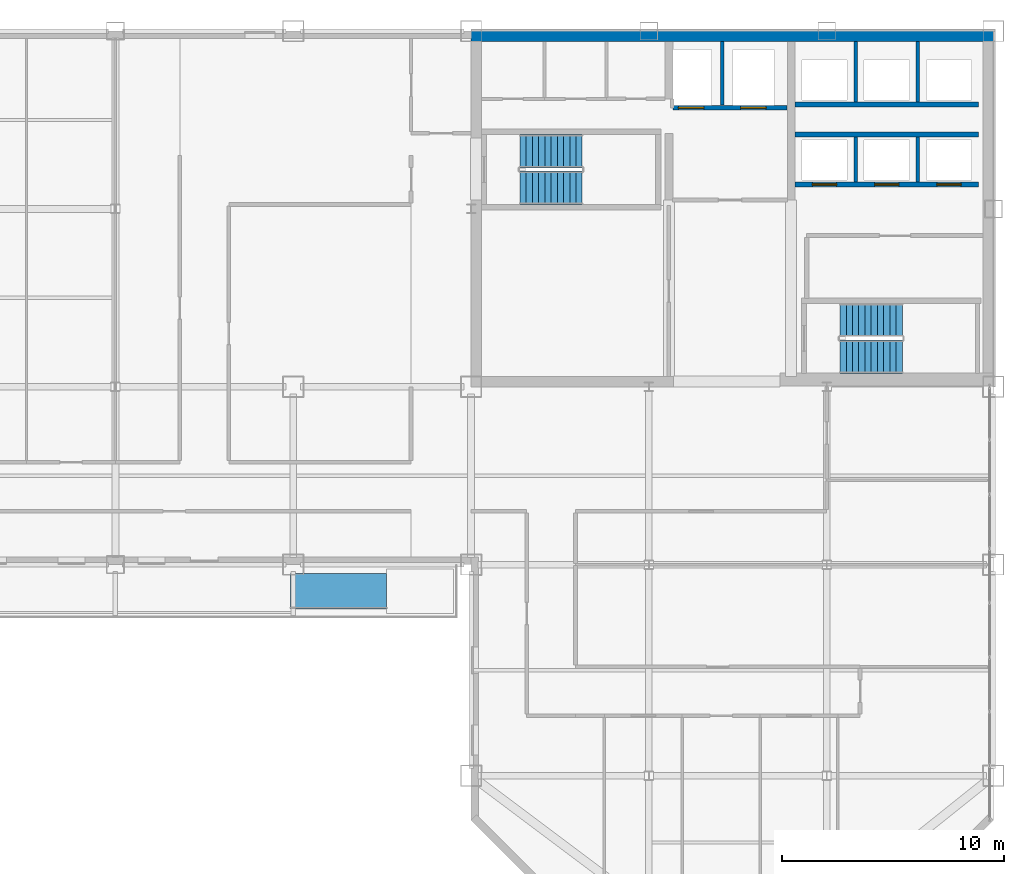
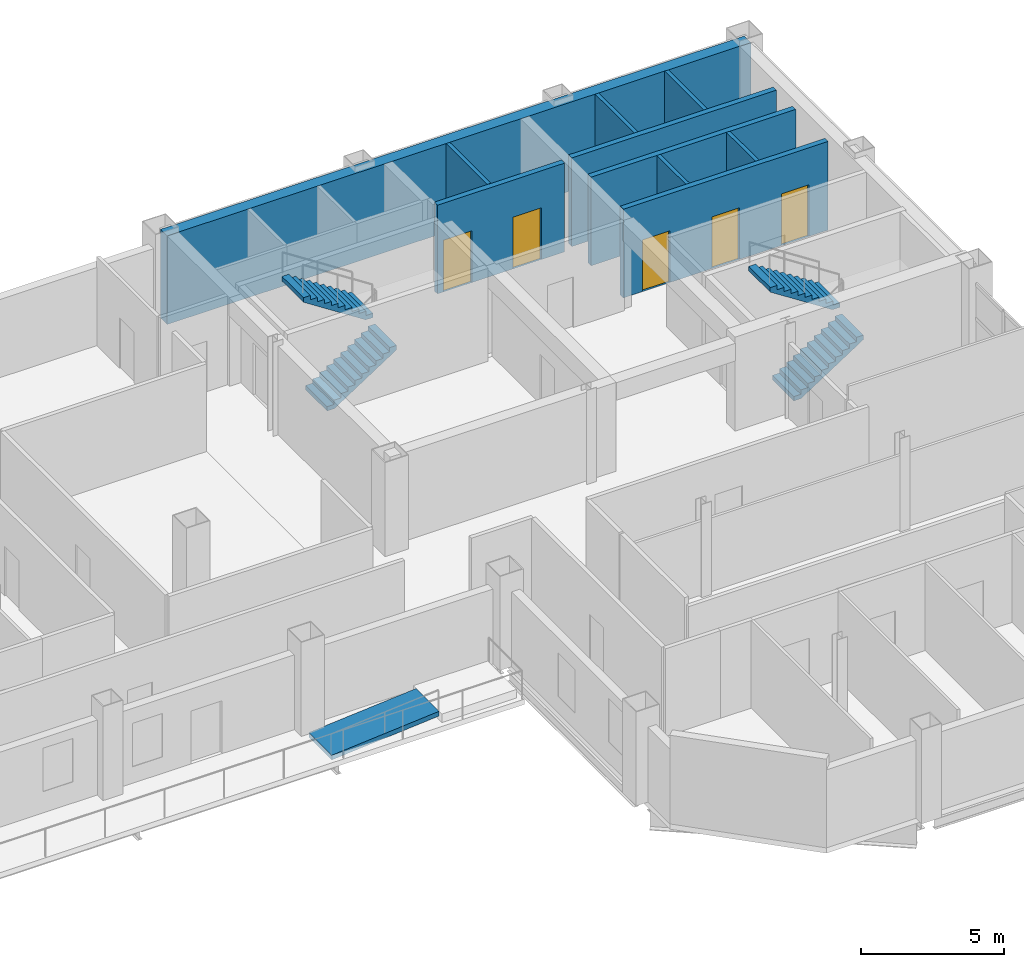
# One storey, part 10 of 12: 10 walls, 5 doors, 4 stair flights, 1 ramp flight, 5 openings, 3 elements without a shape of their own.
"""IFC4 building model written with IfcOpenShell, lengths in metres."""

from ifc_helpers import new_model, si_unit, direction, frame, frame_2d, origin, place, context, subcontext, project, spatial, polyline, rectangle, outline, extrude, material, layer, layer_set, type_object, element, fill, aggregate, save


model = new_model("IFC4")

# Units and contexts
model_context = context("Model", 3, precision=1e-05, world=origin(), true_north=direction((0.0, 1.0)))
body_context = subcontext(model_context, "Body", "Model", "MODEL_VIEW")
ifc_project = project(units=[si_unit("LENGTHUNIT", "METRE"), si_unit("AREAUNIT", "SQUARE_METRE"), si_unit("VOLUMEUNIT", "CUBIC_METRE"), si_unit("PLANEANGLEUNIT", "RADIAN"), si_unit("MASSUNIT", "GRAM", prefix="KILO")], contexts=[model_context])

# Site, building, storey
site_placement = place(None, origin())
site = spatial("IfcSite", under=ifc_project, at=site_placement, CompositionType="ELEMENT")
building_placement = place(site_placement, origin())
building = spatial("IfcBuilding", under=site, at=building_placement, Name="Qianrong Seaharbour Tower", CompositionType="ELEMENT")
storey_placement = place(building_placement, frame((0.0, 0.0, 205.800048828125)))
storey = spatial("IfcBuildingStorey", under=building, at=storey_placement, Name="L49", CompositionType="ELEMENT", Elevation=205.800048828125)

# Walls
ifc_material_1 = material(Name="Concrete C60/75", Category="concrete")
ifc_layer_1 = layer(ifc_material_1, 0.4599609375)
ifc_layer_set_1 = layer_set([ifc_layer_1], Name="Concrete C60/75")
wall_type_1 = type_object("IfcWallType", Name="WALL-CORE-460", PredefinedType="SHEAR", material=ifc_layer_set_1)
wall_1_placement = place(storey_placement, frame((40.5, 51.77001953125, 0.0), z_axis=(0.0, 0.0, 1.0), x_axis=(1.0, 0.0, 0.0)))
element("IfcWall", 1, at=wall_1_placement, inside=storey, type_object=wall_type_1, Name="L49 North Core Shear Wall", PredefinedType="SHEAR", context=body_context, shape_type="SweptSolid", body=[
    extrude(rectangle(XDim=23.5, YDim=0.4599609375, at=frame_2d((11.75, 0.0))), origin(), (0.0, 0.0, 1.0), 3.77490234375),
])
ifc_material_2 = material(Name="Fire-rated gypsum board on steel studs", Category="steel")
ifc_layer_2 = layer(ifc_material_2, 0.14990234375)
ifc_layer_set_2 = layer_set([ifc_layer_2], Name="Fire-rated gypsum board on steel studs")
wall_type_2 = type_object("IfcWallType", Name="WALL-SHAFT-DIV-150", PredefinedType="PARTITIONING", material=ifc_layer_set_2)
wall_2_placement = place(storey_placement, frame((51.800048828125, 48.669921875, 0.0), z_axis=(0.0, 0.0, 1.0), x_axis=(0.0, 1.0, 0.0)))
element("IfcWall", 2, at=wall_2_placement, inside=storey, type_object=wall_type_2, Name="L49 Firefighting Lift Shaft Divider Wall", PredefinedType="PARTITIONING", context=body_context, shape_type="SweptSolid", body=[
    extrude(rectangle(XDim=2.8701171875, YDim=0.14990234375, at=frame_2d((1.43505859375, 0.0))), origin(), (0.0, 0.0, 1.0), 3.77490234375),
])
for number, where, z_axis, x_axis, name in (
    (3, (57.800048828125, 45.2099609375, 0.0), (0.0, 0.0, 1.0), (0.0, 1.0, 0.0), "L49 P3 Lift Hoistway Divider 2"),
    (4, (60.60009765625, 45.2099609375, 0.0), (0.0, 0.0, 1.0), (0.0, 1.0, 0.0), "L49 P3 Lift Hoistway Divider 3"),
):
    element("IfcWall", number, at=place(storey_placement, frame(where, z_axis=z_axis, x_axis=x_axis)), inside=storey, type_object=wall_type_2, Name=name, PredefinedType="PARTITIONING", context=body_context, shape_type="SweptSolid", body=[
        extrude(rectangle(XDim=2.030029296875, YDim=0.14990234375, at=frame_2d((1.01513671875, 0.0))), origin(), (0.0, 0.0, 1.0), 3.77490234375),
    ])
for number, where, z_axis, x_axis, name in (
    (5, (57.800048828125, 48.81005859375, 0.0), (0.0, 0.0, 1.0), (0.0, 1.0, 0.0), "L49 P4 Lift Hoistway Divider 2"),
    (6, (60.60009765625, 48.81005859375, 0.0), (0.0, 0.0, 1.0), (0.0, 1.0, 0.0), "L49 P4 Lift Hoistway Divider 3"),
):
    element("IfcWall", number, at=place(storey_placement, frame(where, z_axis=z_axis, x_axis=x_axis)), inside=storey, type_object=wall_type_2, Name=name, PredefinedType="PARTITIONING", context=body_context, shape_type="SweptSolid", body=[
        extrude(rectangle(XDim=2.72998046875, YDim=0.14990234375, at=frame_2d((1.364990234375, 0.0))), origin(), (0.0, 0.0, 1.0), 3.77490234375),
    ])

# Wall, openings, doors
ifc_layer_3 = layer(ifc_material_2, 0.219970703125)
ifc_layer_set_3 = layer_set([ifc_layer_3], Name="Fire-rated gypsum board on steel studs")
wall_type_3 = type_object("IfcWallType", Name="WALL-SHAFT-GYP220", PredefinedType="PARTITIONING", material=ifc_layer_set_3)
wall_3_placement = place(storey_placement, frame((54.7099609375, 48.550048828125, 0.0), z_axis=(0.0, 0.0, 1.0), x_axis=(-1.0, 0.0, 0.0)))
wall_3 = element("IfcWall", 7, at=wall_3_placement, inside=storey, type_object=wall_type_3, Name="L49 Firefighting Lift Shaft Front Wall", PredefinedType="PARTITIONING", context=body_context, shape_type="SweptSolid", body=[
    extrude(rectangle(XDim=5.119873046875, YDim=0.219970703125, at=frame_2d((2.56005859375, 0.0))), origin(), (0.0, 0.0, 1.0), 3.77490234375),
])
opening_1_placement = place(wall_3_placement, frame((3.735107421875, 0.0, 0.0)))
opening_1 = element("IfcOpeningElement", 8, at=opening_1_placement, cuts=wall_3, Name="Opening LD-01", PredefinedType="OPENING", context=body_context, shape_type="SweptSolid", body=[
    extrude(rectangle(XDim=1.14990234375, YDim=2.199951171875, at=frame_2d((0.574951171875, 1.10009765625))), frame((0.0, 0.1201171875, 0.0), z_axis=(0.0, -1.0, 0.0), x_axis=(1.0, 0.0, 0.0)), (0.0, 0.0, 1.0), 0.239990234375),
])
opening_2_placement = place(wall_3_placement, frame((0.93505859375, 0.0, 0.0)))
opening_2 = element("IfcOpeningElement", 9, at=opening_2_placement, cuts=wall_3, Name="Opening LD-01", PredefinedType="OPENING", context=body_context, shape_type="SweptSolid", body=[
    extrude(rectangle(XDim=1.14990234375, YDim=2.199951171875, at=frame_2d((0.574951171875, 1.10009765625))), frame((0.0, 0.1201171875, 0.0), z_axis=(0.0, -1.0, 0.0), x_axis=(1.0, 0.0, 0.0)), (0.0, 0.0, 1.0), 0.239990234375),
])
ifc_material_3 = material(Name="Stainless steel SUS316L bi-parting lift landing door", Category="steel")
door_type_1 = type_object("IfcDoorType", Name="DOOR-LIFT-FF-1150x2200", OperationType="DOUBLE_DOOR_SLIDING", PredefinedType="DOOR", material=ifc_material_3)
door_1_placement = place(opening_1_placement, origin())
door_1 = element("IfcDoor", 10, at=door_1_placement, inside=storey, type_object=door_type_1, Name="L49 FL-1 Firefighting Lift Landing Door", OperationType="DOUBLE_DOOR_SLIDING", OverallHeight=2.199951171875, OverallWidth=1.14990234375, PredefinedType="DOOR", context=body_context, shape_type="SweptSolid", body=[
    extrude(rectangle(XDim=1.14990234375, YDim=2.199951171875, at=frame_2d((0.574951171875, 1.10009765625))), frame((0.0, 0.02490234375, 0.0), z_axis=(0.0, -1.0, 0.0), x_axis=(1.0, 0.0, 0.0)), (0.0, 0.0, 1.0), 0.050048828125),
])
fill(opening_1, door_1)
door_2_placement = place(opening_2_placement, origin())
door_2 = element("IfcDoor", 11, at=door_2_placement, inside=storey, type_object=door_type_1, Name="L49 FL-2 Firefighting Lift Landing Door", OperationType="DOUBLE_DOOR_SLIDING", OverallHeight=2.199951171875, OverallWidth=1.14990234375, PredefinedType="DOOR", context=body_context, shape_type="SweptSolid", body=[
    extrude(rectangle(XDim=1.14990234375, YDim=2.199951171875, at=frame_2d((0.574951171875, 1.10009765625))), frame((0.0, 0.02490234375, 0.0), z_axis=(0.0, -1.0, 0.0), x_axis=(1.0, 0.0, 0.0)), (0.0, 0.0, 1.0), 0.050048828125),
])
fill(opening_2, door_2)

wall_4_placement = place(storey_placement, frame((63.320068359375, 45.10009765625, 0.0), z_axis=(0.0, 0.0, 1.0), x_axis=(-1.0, 0.0, 0.0)))
wall_4 = element("IfcWall", 12, at=wall_4_placement, inside=storey, type_object=wall_type_3, Name="L49 P3 Lift Hoistway Front Wall", PredefinedType="PARTITIONING", context=body_context, shape_type="SweptSolid", body=[
    extrude(rectangle(XDim=8.239990234375, YDim=0.219970703125, at=frame_2d((4.1201171875, 0.0))), origin(), (0.0, 0.0, 1.0), 3.77490234375),
])
opening_3_placement = place(wall_4_placement, frame((6.3701171875, 0.0, 0.0)))
opening_3 = element("IfcOpeningElement", 13, at=opening_3_placement, cuts=wall_4, Name="Opening LD-02", PredefinedType="OPENING", context=body_context, shape_type="SweptSolid", body=[
    extrude(rectangle(XDim=1.10009765625, YDim=2.199951171875, at=frame_2d((0.550048828125, 1.10009765625))), frame((0.0, 0.1201171875, 0.0), z_axis=(0.0, -1.0, 0.0), x_axis=(1.0, 0.0, 0.0)), (0.0, 0.0, 1.0), 0.239990234375),
])
opening_4_placement = place(wall_4_placement, frame((3.570068359375, 0.0, 0.0)))
opening_4 = element("IfcOpeningElement", 14, at=opening_4_placement, cuts=wall_4, Name="Opening LD-02", PredefinedType="OPENING", context=body_context, shape_type="SweptSolid", body=[
    extrude(rectangle(XDim=1.10009765625, YDim=2.199951171875, at=frame_2d((0.550048828125, 1.10009765625))), frame((0.0, 0.1201171875, 0.0), z_axis=(0.0, -1.0, 0.0), x_axis=(1.0, 0.0, 0.0)), (0.0, 0.0, 1.0), 0.239990234375),
])
opening_5_placement = place(wall_4_placement, frame((0.77001953125, 0.0, 0.0)))
opening_5 = element("IfcOpeningElement", 15, at=opening_5_placement, cuts=wall_4, Name="Opening LD-02", PredefinedType="OPENING", context=body_context, shape_type="SweptSolid", body=[
    extrude(rectangle(XDim=1.10009765625, YDim=2.199951171875, at=frame_2d((0.550048828125, 1.10009765625))), frame((0.0, 0.1201171875, 0.0), z_axis=(0.0, -1.0, 0.0), x_axis=(1.0, 0.0, 0.0)), (0.0, 0.0, 1.0), 0.239990234375),
])
door_type_2 = type_object("IfcDoorType", Name="DOOR-LIFT-PASS-1100x2200", OperationType="DOUBLE_DOOR_SLIDING", PredefinedType="DOOR", material=ifc_material_3)
door_3_placement = place(opening_3_placement, origin())
door_3 = element("IfcDoor", 16, at=door_3_placement, inside=storey, type_object=door_type_2, Name="L49 PL-3A Lift Landing Door", OperationType="DOUBLE_DOOR_SLIDING", OverallHeight=2.199951171875, OverallWidth=1.10009765625, PredefinedType="DOOR", context=body_context, shape_type="SweptSolid", body=[
    extrude(rectangle(XDim=1.10009765625, YDim=2.199951171875, at=frame_2d((0.550048828125, 1.10009765625))), frame((0.0, 0.02490234375, 0.0), z_axis=(0.0, -1.0, 0.0), x_axis=(1.0, 0.0, 0.0)), (0.0, 0.0, 1.0), 0.050048828125),
])
fill(opening_3, door_3)
door_4_placement = place(opening_4_placement, origin())
door_4 = element("IfcDoor", 17, at=door_4_placement, inside=storey, type_object=door_type_2, Name="L49 PL-3B Lift Landing Door", OperationType="DOUBLE_DOOR_SLIDING", OverallHeight=2.199951171875, OverallWidth=1.10009765625, PredefinedType="DOOR", context=body_context, shape_type="SweptSolid", body=[
    extrude(rectangle(XDim=1.10009765625, YDim=2.199951171875, at=frame_2d((0.550048828125, 1.10009765625))), frame((0.0, 0.02490234375, 0.0), z_axis=(0.0, -1.0, 0.0), x_axis=(1.0, 0.0, 0.0)), (0.0, 0.0, 1.0), 0.050048828125),
])
fill(opening_4, door_4)
door_5_placement = place(opening_5_placement, origin())
door_5 = element("IfcDoor", 18, at=door_5_placement, inside=storey, type_object=door_type_2, Name="L49 PL-3C Lift Landing Door", OperationType="DOUBLE_DOOR_SLIDING", OverallHeight=2.199951171875, OverallWidth=1.10009765625, PredefinedType="DOOR", context=body_context, shape_type="SweptSolid", body=[
    extrude(rectangle(XDim=1.10009765625, YDim=2.199951171875, at=frame_2d((0.550048828125, 1.10009765625))), frame((0.0, 0.02490234375, 0.0), z_axis=(0.0, -1.0, 0.0), x_axis=(1.0, 0.0, 0.0)), (0.0, 0.0, 1.0), 0.050048828125),
])
fill(opening_5, door_5)

# Walls
for number, where, z_axis, x_axis, name in (
    (19, (55.080078125, 47.35009765625, 0.0), (0.0, 0.0, 1.0), (1.0, 0.0, 0.0), "L49 P3 Lift Hoistway Back Wall"),
    (20, (63.320068359375, 48.699951171875, 0.0), (0.0, 0.0, 1.0), (-1.0, 0.0, 0.0), "L49 P4 Lift Hoistway Front Wall"),
):
    element("IfcWall", number, at=place(storey_placement, frame(where, z_axis=z_axis, x_axis=x_axis)), inside=storey, type_object=wall_type_3, Name=name, PredefinedType="PARTITIONING", context=body_context, shape_type="SweptSolid", body=[
        extrude(rectangle(XDim=8.239990234375, YDim=0.219970703125, at=frame_2d((4.1201171875, 0.0))), origin(), (0.0, 0.0, 1.0), 3.77490234375),
    ])

# Stair, stair flights
ifc_material_4 = material(Name="Concrete C50/60", Category="concrete")
stair_type = type_object("IfcStairType", Name="STAIR-DOGLEG-1500-R22", PredefinedType="HALF_TURN_STAIR", material=ifc_material_4)
stair_1_placement = place(storey_placement, origin())
stair_1 = element("IfcStair", 21, at=stair_1_placement, inside=storey, type_object=stair_type, Name="L49 Protected Escape Stair ST-1", PredefinedType="HALF_TURN_STAIR")
stair_flight_type = type_object("IfcStairFlightType", Name="FLIGHT-STR-1500-R22", PredefinedType="STRAIGHT", material=ifc_material_4)
stair_flight_1_placement = place(storey_placement, frame((42.699951171875, 44.949951171875, 0.0), z_axis=(0.0, 0.0, 1.0), x_axis=(1.0, 0.0, 0.0)))
stair_flight_1 = element("IfcStairFlight", 22, at=stair_flight_1_placement, type_object=stair_flight_type, Name="ST-1 flight 1", NumberOfRisers=11, NumberOfTreads=10, PredefinedType="STRAIGHT", RiserHeight=0.181818182, TreadLength=0.28, context=body_context, shape_type="SweptSolid", body=[
    extrude(outline(polyline([(0.0, 0.0), (0.0, 0.181884765625), (0.280029296875, 0.181884765625), (0.280029296875, 0.363525390625), (0.56005859375, 0.363525390625), (0.56005859375, 0.54541015625), (0.840087890625, 0.54541015625), (0.840087890625, 0.727294921875), (1.1201171875, 0.727294921875), (1.1201171875, 0.9091796875), (1.39990234375, 0.9091796875), (1.39990234375, 1.0908203125), (1.679931640625, 1.0908203125), (1.679931640625, 1.272705078125), (1.9599609375, 1.272705078125), (1.9599609375, 1.45458984375), (2.239990234375, 1.45458984375), (2.239990234375, 1.636474609375), (2.52001953125, 1.636474609375), (2.52001953125, 1.818115234375), (2.800048828125, 1.818115234375), (2.800048828125, 2.0), (2.800048828125, 1.62744140625), (0.293701171875, 0.0), (0.0, 0.0)])), frame((0.0, 0.75, 0.0), z_axis=(0.0, -1.0, 0.0), x_axis=(1.0, 0.0, 0.0)), (0.0, 0.0, 1.0), 1.5),
])
stair_flight_2_placement = place(storey_placement, frame((45.5, 46.60009765625, 2.0), z_axis=(0.0, 0.0, 1.0), x_axis=(-1.0, 0.0, 0.0)))
stair_flight_2 = element("IfcStairFlight", 23, at=stair_flight_2_placement, type_object=stair_flight_type, Name="ST-1 flight 2", NumberOfRisers=11, NumberOfTreads=10, PredefinedType="STRAIGHT", RiserHeight=0.181818182, TreadLength=0.28, context=body_context, shape_type="SweptSolid", body=[
    extrude(outline(polyline([(0.0, 0.0), (0.0, 0.181884765625), (0.280029296875, 0.181884765625), (0.280029296875, 0.363525390625), (0.56005859375, 0.363525390625), (0.56005859375, 0.54541015625), (0.840087890625, 0.54541015625), (0.840087890625, 0.727294921875), (1.1201171875, 0.727294921875), (1.1201171875, 0.9091796875), (1.39990234375, 0.9091796875), (1.39990234375, 1.0908203125), (1.679931640625, 1.0908203125), (1.679931640625, 1.272705078125), (1.9599609375, 1.272705078125), (1.9599609375, 1.45458984375), (2.239990234375, 1.45458984375), (2.239990234375, 1.636474609375), (2.52001953125, 1.636474609375), (2.52001953125, 1.818115234375), (2.800048828125, 1.818115234375), (2.800048828125, 2.0), (2.800048828125, 1.62744140625), (0.293701171875, 0.0), (0.0, 0.0)])), frame((0.0, 0.75, 0.0), z_axis=(0.0, -1.0, 0.0), x_axis=(1.0, 0.0, 0.0)), (0.0, 0.0, 1.0), 1.5),
])
aggregate(stair_1, [stair_flight_1, stair_flight_2])

stair_2_placement = place(storey_placement, origin())
stair_2 = element("IfcStair", 24, at=stair_2_placement, inside=storey, type_object=stair_type, Name="L49 Protected Escape Stair ST-2", PredefinedType="HALF_TURN_STAIR")
stair_flight_3_placement = place(storey_placement, frame((57.10009765625, 37.35009765625, 0.0), z_axis=(0.0, 0.0, 1.0), x_axis=(1.0, 0.0, 0.0)))
stair_flight_3 = element("IfcStairFlight", 25, at=stair_flight_3_placement, type_object=stair_flight_type, Name="ST-2 flight 1", NumberOfRisers=11, NumberOfTreads=10, PredefinedType="STRAIGHT", RiserHeight=0.181818182, TreadLength=0.28, context=body_context, shape_type="SweptSolid", body=[
    extrude(outline(polyline([(0.0, 0.0), (0.0, 0.181884765625), (0.280029296875, 0.181884765625), (0.280029296875, 0.363525390625), (0.56005859375, 0.363525390625), (0.56005859375, 0.54541015625), (0.840087890625, 0.54541015625), (0.840087890625, 0.727294921875), (1.1201171875, 0.727294921875), (1.1201171875, 0.9091796875), (1.39990234375, 0.9091796875), (1.39990234375, 1.0908203125), (1.679931640625, 1.0908203125), (1.679931640625, 1.272705078125), (1.9599609375, 1.272705078125), (1.9599609375, 1.45458984375), (2.239990234375, 1.45458984375), (2.239990234375, 1.636474609375), (2.52001953125, 1.636474609375), (2.52001953125, 1.818115234375), (2.800048828125, 1.818115234375), (2.800048828125, 2.0), (2.800048828125, 1.62744140625), (0.293701171875, 0.0), (0.0, 0.0)])), frame((0.0, 0.75, 0.0), z_axis=(0.0, -1.0, 0.0), x_axis=(1.0, 0.0, 0.0)), (0.0, 0.0, 1.0), 1.5),
])
stair_flight_4_placement = place(storey_placement, frame((59.89990234375, 39.0, 2.0), z_axis=(0.0, 0.0, 1.0), x_axis=(-1.0, 0.0, 0.0)))
stair_flight_4 = element("IfcStairFlight", 26, at=stair_flight_4_placement, type_object=stair_flight_type, Name="ST-2 flight 2", NumberOfRisers=11, NumberOfTreads=10, PredefinedType="STRAIGHT", RiserHeight=0.181818182, TreadLength=0.28, context=body_context, shape_type="SweptSolid", body=[
    extrude(outline(polyline([(0.0, 0.0), (0.0, 0.181884765625), (0.280029296875, 0.181884765625), (0.280029296875, 0.363525390625), (0.56005859375, 0.363525390625), (0.56005859375, 0.54541015625), (0.840087890625, 0.54541015625), (0.840087890625, 0.727294921875), (1.1201171875, 0.727294921875), (1.1201171875, 0.9091796875), (1.39990234375, 0.9091796875), (1.39990234375, 1.0908203125), (1.679931640625, 1.0908203125), (1.679931640625, 1.272705078125), (1.9599609375, 1.272705078125), (1.9599609375, 1.45458984375), (2.239990234375, 1.45458984375), (2.239990234375, 1.636474609375), (2.52001953125, 1.636474609375), (2.52001953125, 1.818115234375), (2.800048828125, 1.818115234375), (2.800048828125, 2.0), (2.800048828125, 1.62744140625), (0.293701171875, 0.0), (0.0, 0.0)])), frame((0.0, 0.75, 0.0), z_axis=(0.0, -1.0, 0.0), x_axis=(1.0, 0.0, 0.0)), (0.0, 0.0, 1.0), 1.5),
])
aggregate(stair_2, [stair_flight_3, stair_flight_4])

# Ramp, ramp flight
ifc_material_5 = material(Name="White architectural precast concrete C45/55", Category="concrete")
ramp_type = type_object("IfcRampType", Name="RAMP-RIBBON-GARDEN", PredefinedType="STRAIGHT_RUN_RAMP", material=ifc_material_5)
ramp_placement = place(storey_placement, origin())
ramp = element("IfcRamp", 27, at=ramp_placement, inside=storey, type_object=ramp_type, Name="L49 Harbourfront Garden Ribbon Ramp", PredefinedType="STRAIGHT_RUN_RAMP")
ifc_layer_4 = layer(ifc_material_5, 0.199951171875)
ifc_layer_set_4 = layer_set([ifc_layer_4], Name="White architectural precast concrete C45/55")
ramp_flight_type = type_object("IfcRampFlightType", Name="RAMP-FLIGHT-GARDEN-200", PredefinedType="STRAIGHT", material=ifc_layer_set_4)
ramp_flight_placement = place(storey_placement, frame((32.3798828125, 26.800048828125, 0.0), z_axis=(0.0, 0.0, 1.0), x_axis=(1.0, 0.0, 0.0)))
ramp_flight = element("IfcRampFlight", 28, at=ramp_flight_placement, type_object=ramp_flight_type, Name="L49 Harbourfront Garden Ribbon Ramp Flight", PredefinedType="STRAIGHT", context=body_context, shape_type="SweptSolid", body=[
    extrude(outline(polyline([(0.0, 0.0), (4.320068359375, 0.360107421875), (4.320068359375, 0.16015625), (0.0, -0.199951171875), (0.0, 0.0)])), frame((0.0, 0.800048828125, 0.0), z_axis=(0.0, -1.0, 0.0), x_axis=(1.0, 0.0, 0.0)), (0.0, 0.0, 1.0), 1.60009765625),
])
aggregate(ramp, [ramp_flight])

save(model, "model.ifc")
